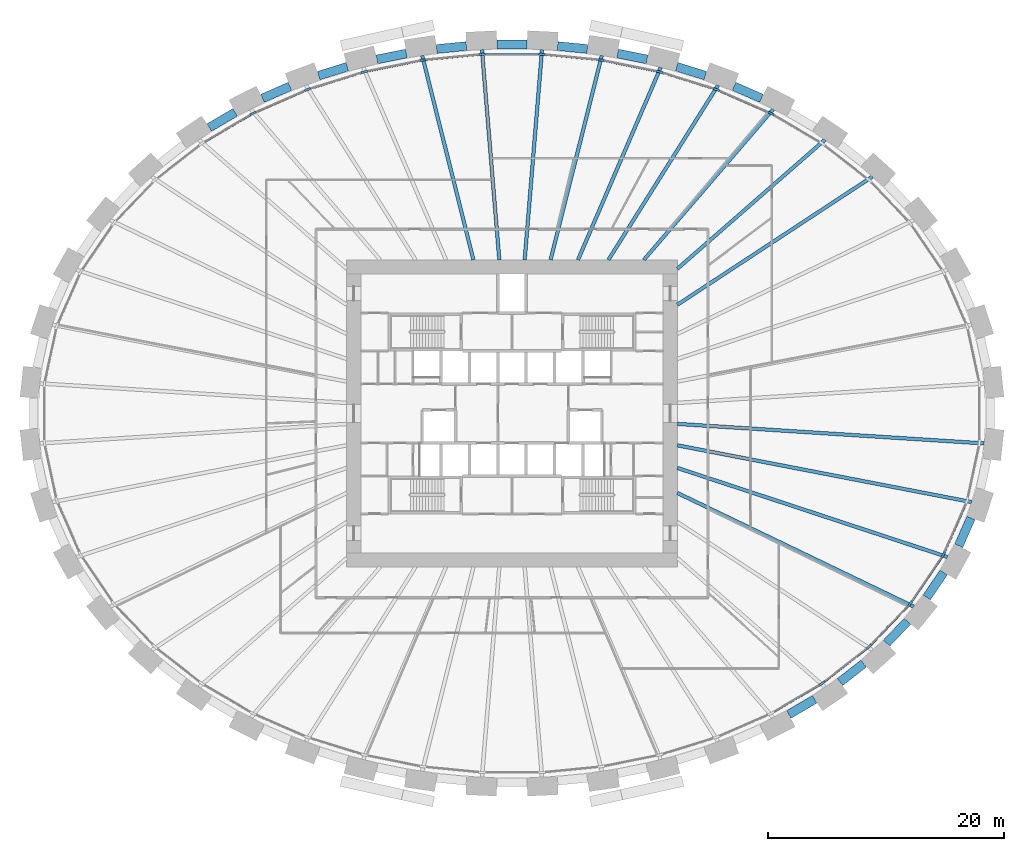
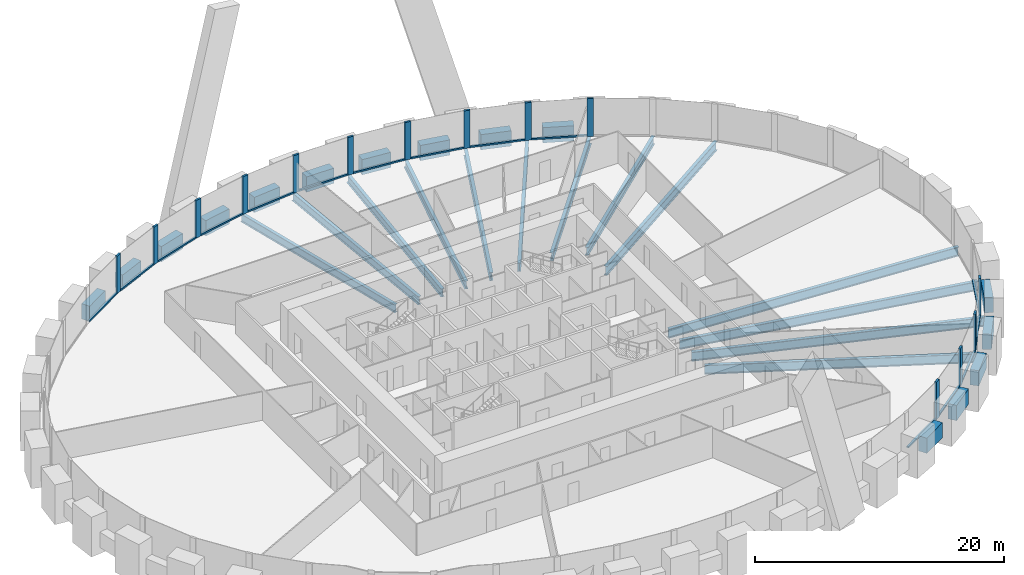
# One storey, part 3 of 11: 29 members, 28 beams, 1 element without a shape of its own.
"""IFC4 building model written with IfcOpenShell, lengths in metres."""

from ifc_helpers import new_model, si_unit, direction, frame, origin, origin_2d, place, context, subcontext, project, spatial, rectangle, i_section, extrude, source, transform, mapped, material, material_profile, profile_set, type_object, element, aggregate, save


model = new_model("IFC4")

# Units and contexts
model_context = context("Model", 3, precision=1e-05, world=origin(), true_north=direction((0.0, 1.0)))
body_context = subcontext(model_context, "Body", "Model", "MODEL_VIEW")
ifc_project = project(units=[si_unit("LENGTHUNIT", "METRE"), si_unit("AREAUNIT", "SQUARE_METRE"), si_unit("VOLUMEUNIT", "CUBIC_METRE"), si_unit("PLANEANGLEUNIT", "RADIAN"), si_unit("MASSUNIT", "GRAM", prefix="KILO")], contexts=[model_context])

# Site, building, storey
site_placement = place(None, origin())
site = spatial("IfcSite", under=ifc_project, at=site_placement, CompositionType="ELEMENT")
building_placement = place(site_placement, origin())
building = spatial("IfcBuilding", under=site, at=building_placement, Name="Embergate Tower", CompositionType="ELEMENT")
storey_placement = place(building_placement, frame((0.0, 0.0, 73.699951171875)))
storey = spatial("IfcBuildingStorey", under=building, at=storey_placement, Name="L14", CompositionType="ELEMENT", Elevation=73.699951171875)

# Beams
ifc_material_1 = material(Name="Concrete C70", Category="concrete")
ifc_material_profile_1 = material_profile(ifc_material_1, rectangle(XDim=0.75, YDim=1.5, at=origin_2d()), Name="RC 750x1500")
ifc_profile_set_1 = profile_set([ifc_material_profile_1], Name="Concrete C70")
beam_type_1 = type_object("IfcBeamType", Name="Spandrel beam RC 750x1500 C70", PredefinedType="BEAM", material=ifc_profile_set_1)
shared_shape_1 = source(origin(), body_context, "Body", "SweptSolid", [
    extrude(rectangle(XDim=0.75, YDim=1.5, at=origin_2d()), origin(), (0.0, 0.0, 1.0), 2.5498046875),
])
beam_1_placement = place(storey_placement, frame((31.72509765625, -19.4541015625, 0.0), z_axis=(0.689760361446, 0.724037736432, 0.0), x_axis=(-0.724037736432, 0.689760361446, 0.0)))
element("IfcBeam", 1, at=beam_1_placement, inside=storey, type_object=beam_type_1, Name="SPN-L14-39", PredefinedType="BEAM", context=body_context, shape_type="MappedRepresentation", body=[
    mapped(shared_shape_1, transform((0.0, 0.0, 0.0))),
])
shared_shape_2 = source(origin(), body_context, "Body", "SweptSolid", [
    extrude(rectangle(XDim=0.75, YDim=1.5, at=origin_2d()), origin(), (0.0, 0.0, 1.0), 2.56591796875),
])
beam_2_placement = place(storey_placement, frame((37.83203125, -11.20703125, 0.0), z_axis=(0.401427690069, 0.915890719271, 0.0), x_axis=(-0.915890719271, 0.401427690069, 0.0)))
element("IfcBeam", 2, at=beam_2_placement, inside=storey, type_object=beam_type_1, Name="SPN-L14-41", PredefinedType="BEAM", context=body_context, shape_type="MappedRepresentation", body=[
    mapped(shared_shape_2, transform((0.0, 0.0, 0.0))),
])
shared_shape_3 = source(origin(), body_context, "Body", "SweptSolid", [
    extrude(rectangle(XDim=0.75, YDim=1.5, at=origin_2d()), origin(), (0.0, 0.0, 1.0), 2.556640625),
])
beam_3_placement = place(storey_placement, frame((35.117919921875, -15.5859375, 0.0), z_axis=(0.562432772417, 0.826843018058, 0.0), x_axis=(-0.826843018058, 0.562432772417, 0.0)))
element("IfcBeam", 3, at=beam_3_placement, inside=storey, type_object=beam_type_1, Name="SPN-L14-40", PredefinedType="BEAM", context=body_context, shape_type="MappedRepresentation", body=[
    mapped(shared_shape_3, transform((0.0, 0.0, 0.0))),
])
shared_shape_4 = source(origin(), body_context, "Body", "SweptSolid", [
    extrude(rectangle(XDim=0.75, YDim=1.5, at=origin_2d()), origin(), (0.0, 0.0, 1.0), 2.542724609375),
])
beam_4_placement = place(storey_placement, frame((27.779052734375, -22.748046875, 0.0), z_axis=(0.788472504965, 0.615070003264, 0.0), x_axis=(-0.615070003264, 0.788472504965, 0.0)))
element("IfcBeam", 4, at=beam_4_placement, inside=storey, type_object=beam_type_1, Name="SPN-L14-38", PredefinedType="BEAM", context=body_context, shape_type="MappedRepresentation", body=[
    mapped(shared_shape_4, transform((0.0, 0.0, 0.0))),
])
shared_shape_5 = source(origin(), body_context, "Body", "SweptSolid", [
    extrude(rectangle(XDim=0.75, YDim=1.5, at=origin_2d()), origin(), (0.0, 0.0, 1.0), 2.537109375),
])
for number, where, z_axis, x_axis, name in (
    (5, (-23.44189453125, 25.49609375, 0.0), (-0.861993577549, -0.506919196978, 0.0), (0.506919196978, -0.861993577549, 0.0), "SPN-L14-15"),
    (6, (23.44189453125, -25.49609375, 0.0), (0.861993577549, 0.506919196978, 0.0), (-0.506919196978, 0.861993577549, 0.0), "SPN-L14-37"),
):
    element("IfcBeam", number, at=place(storey_placement, frame(where, z_axis=z_axis, x_axis=x_axis)), inside=storey, type_object=beam_type_1, Name=name, PredefinedType="BEAM", context=body_context, shape_type="MappedRepresentation", body=[
        mapped(shared_shape_5, transform((0.0, 0.0, 0.0))),
    ])
shared_shape_6 = source(origin(), body_context, "Body", "SweptSolid", [
    extrude(rectangle(XDim=0.75, YDim=1.5, at=origin_2d()), origin(), (0.0, 0.0, 1.0), 2.53466796875),
])
for number, where, z_axis, x_axis, name in (
    (7, (21.1259765625, 26.677978515625, 0.0), (-0.91612417153, 0.400894627474, 0.0), (-0.400894627474, -0.91612417153, 0.0), "SPN-L14-06"),
    (8, (-18.803955078125, 27.694091796875, 0.0), (-0.91612417153, -0.400894627474, 0.0), (0.400894627474, -0.91612417153, 0.0), "SPN-L14-14"),
):
    element("IfcBeam", number, at=place(storey_placement, frame(where, z_axis=z_axis, x_axis=x_axis)), inside=storey, type_object=beam_type_1, Name=name, PredefinedType="BEAM", context=body_context, shape_type="MappedRepresentation", body=[
        mapped(shared_shape_6, transform((0.0, 0.0, 0.0))),
    ])
shared_shape_7 = source(origin(), body_context, "Body", "SweptSolid", [
    extrude(rectangle(XDim=0.75, YDim=1.5, at=origin_2d()), origin(), (0.0, 0.0, 1.0), 2.5322265625),
])
for number, where, z_axis, x_axis, name in (
    (9, (16.367919921875, 28.60302734375, 0.0), (-0.954890803875, 0.296957156294, 0.0), (-0.296957156294, -0.954890803875, 0.0), "SPN-L14-07"),
    (10, (-13.949951171875, 29.35498046875, 0.0), (-0.954890803875, -0.296957156294, 0.0), (0.296957156294, -0.954890803875, 0.0), "SPN-L14-13"),
):
    element("IfcBeam", number, at=place(storey_placement, frame(where, z_axis=z_axis, x_axis=x_axis)), inside=storey, type_object=beam_type_1, Name=name, PredefinedType="BEAM", context=body_context, shape_type="MappedRepresentation", body=[
        mapped(shared_shape_7, transform((0.0, 0.0, 0.0))),
    ])
shared_shape_8 = source(origin(), body_context, "Body", "SweptSolid", [
    extrude(rectangle(XDim=0.75, YDim=1.5, at=origin_2d()), origin(), (0.0, 0.0, 1.0), 2.5283203125),
])
for number, where, z_axis, x_axis, name in (
    (11, (11.426025390625, 29.97900390625, 0.0), (-0.980483995477, 0.19659891814, 0.0), (-0.19659891814, -0.980483995477, 0.0), "SPN-L14-08"),
    (12, (-8.947021484375, 30.47607421875, 0.0), (-0.980483995477, -0.19659891814, 0.0), (0.19659891814, -0.980483995477, 0.0), "SPN-L14-12"),
):
    element("IfcBeam", number, at=place(storey_placement, frame(where, z_axis=z_axis, x_axis=x_axis)), inside=storey, type_object=beam_type_1, Name=name, PredefinedType="BEAM", context=body_context, shape_type="MappedRepresentation", body=[
        mapped(shared_shape_8, transform((0.0, 0.0, 0.0))),
    ])
shared_shape_9 = source(origin(), body_context, "Body", "SweptSolid", [
    extrude(rectangle(XDim=0.75, YDim=1.5, at=origin_2d()), origin(), (0.0, 0.0, 1.0), 2.52685546875),
])
for number, where, z_axis, x_axis, name in (
    (13, (6.3759765625, 30.860107421875, 0.0), (-0.995218218031, 0.097676499217, 0.0), (-0.097676499217, -0.995218218031, 0.0), "SPN-L14-09"),
    (14, (-3.861083984375, 31.10693359375, 0.0), (-0.995218218031, -0.097676499217, 0.0), (0.097676499217, -0.995218218031, 0.0), "SPN-L14-11"),
):
    element("IfcBeam", number, at=place(storey_placement, frame(where, z_axis=z_axis, x_axis=x_axis)), inside=storey, type_object=beam_type_1, Name=name, PredefinedType="BEAM", context=body_context, shape_type="MappedRepresentation", body=[
        mapped(shared_shape_9, transform((0.0, 0.0, 0.0))),
    ])
shared_shape_10 = source(origin(), body_context, "Body", "SweptSolid", [
    extrude(rectangle(XDim=0.75, YDim=1.5, at=origin_2d()), origin(), (0.0, 0.0, 1.0), 2.52783203125),
])
beam_5_placement = place(storey_placement, frame((1.263916015625, 31.23388671875, 0.0), z_axis=(-1.0, 0.0, 0.0), x_axis=(0.0, -1.0, 0.0)))
element("IfcBeam", 15, at=beam_5_placement, inside=storey, type_object=beam_type_1, Name="SPN-L14-10", PredefinedType="BEAM", context=body_context, shape_type="MappedRepresentation", body=[
    mapped(shared_shape_10, transform((0.0, 0.0, 0.0))),
])
ifc_material_2 = material(Name="Steel Q355B", Category="steel")
ifc_material_profile_2 = material_profile(ifc_material_2, i_section(OverallWidth=0.300048828125, OverallDepth=0.89990234375, WebThickness=0.01611328125, FlangeThickness=0.028076171875, FilletRadius=0.028076171875, at=origin_2d()), Name="HN 900x300x16x28")
ifc_profile_set_2 = profile_set([ifc_material_profile_2], Name="Steel Q355 grade B")
beam_type_2 = type_object("IfcBeamType", Name="Radial girder HN 900x300x16x28", PredefinedType="BEAM", material=ifc_profile_set_2)
shared_shape_11 = source(origin(), body_context, "Body", "SweptSolid", [
    extrude(i_section(OverallWidth=0.300048828125, OverallDepth=0.89990234375, WebThickness=0.01611328125, FlangeThickness=0.028076171875, FilletRadius=0.028076171875, at=origin_2d()), origin(), (0.0, 0.0, 1.0), 26.034423828125),
])
beam_6_placement = place(storey_placement, frame((39.98193359375, -2.5400390625, -0.64990234375), z_axis=(-0.997986864702, 0.063420957753, 0.0), x_axis=(-0.063420957753, -0.997986864702, 0.0)))
element("IfcBeam", 16, at=beam_6_placement, inside=storey, type_object=beam_type_2, Name="GIR-L14-43", PredefinedType="BEAM", context=body_context, shape_type="MappedRepresentation", body=[
    mapped(shared_shape_11, transform((0.0, 0.0, 0.0))),
])
shared_shape_12 = source(origin(), body_context, "Body", "SweptSolid", [
    extrude(i_section(OverallWidth=0.300048828125, OverallDepth=0.89990234375, WebThickness=0.01611328125, FlangeThickness=0.028076171875, FilletRadius=0.028076171875, at=origin_2d()), origin(), (0.0, 0.0, 1.0), 25.373291015625),
])
beam_7_placement = place(storey_placement, frame((38.9140625, -7.507080078125, -0.64990234375), z_axis=(-0.981896748495, 0.189416935078, 0.0), x_axis=(-0.189416935078, -0.981896748495, 0.0)))
element("IfcBeam", 17, at=beam_7_placement, inside=storey, type_object=beam_type_2, Name="GIR-L14-42", PredefinedType="BEAM", context=body_context, shape_type="MappedRepresentation", body=[
    mapped(shared_shape_12, transform((0.0, 0.0, 0.0))),
])
shared_shape_13 = source(origin(), body_context, "Body", "SweptSolid", [
    extrude(i_section(OverallWidth=0.300048828125, OverallDepth=0.89990234375, WebThickness=0.01611328125, FlangeThickness=0.028076171875, FilletRadius=0.028076171875, at=origin_2d()), origin(), (0.0, 0.0, 1.0), 24.0849609375),
])
beam_8_placement = place(storey_placement, frame((36.873046875, -12.160888671875, -0.64990234375), z_axis=(-0.949680038857, 0.313221684748, 0.0), x_axis=(-0.313221684748, -0.949680038857, 0.0)))
element("IfcBeam", 18, at=beam_8_placement, inside=storey, type_object=beam_type_2, Name="GIR-L14-41", PredefinedType="BEAM", context=body_context, shape_type="MappedRepresentation", body=[
    mapped(shared_shape_13, transform((0.0, 0.0, 0.0))),
])
shared_shape_14 = source(origin(), body_context, "Body", "SweptSolid", [
    extrude(i_section(OverallWidth=0.300048828125, OverallDepth=0.89990234375, WebThickness=0.01611328125, FlangeThickness=0.028076171875, FilletRadius=0.028076171875, at=origin_2d()), origin(), (0.0, 0.0, 1.0), 22.210693359375),
])
beam_9_placement = place(storey_placement, frame((34.014892578125, -16.364013671875, -0.64990234375), z_axis=(-0.90114054222, 0.433527073165, 0.0), x_axis=(-0.433527073165, -0.90114054222, 0.0)))
element("IfcBeam", 19, at=beam_9_placement, inside=storey, type_object=beam_type_2, Name="GIR-L14-40", PredefinedType="BEAM", context=body_context, shape_type="MappedRepresentation", body=[
    mapped(shared_shape_14, transform((0.0, 0.0, 0.0))),
])
shared_shape_15 = source(origin(), body_context, "Body", "SweptSolid", [
    extrude(i_section(OverallWidth=0.300048828125, OverallDepth=0.89990234375, WebThickness=0.01611328125, FlangeThickness=0.028076171875, FilletRadius=0.028076171875, at=origin_2d()), origin(), (0.0, 0.0, 1.0), 19.75),
])
beam_10_placement = place(storey_placement, frame((30.506103515625, 20.04296875, -0.64990234375), z_axis=(-0.835749566876, -0.549110791614, 0.0), x_axis=(0.549110791614, -0.835749566876, 0.0)))
element("IfcBeam", 20, at=beam_10_placement, inside=storey, type_object=beam_type_2, Name="GIR-L14-04", PredefinedType="BEAM", context=body_context, shape_type="MappedRepresentation", body=[
    mapped(shared_shape_15, transform((0.0, 0.0, 0.0))),
])
ifc_material_profile_3 = material_profile(ifc_material_2, i_section(OverallWidth=0.300048828125, OverallDepth=0.800048828125, WebThickness=0.013916015625, FlangeThickness=0.02587890625, FilletRadius=0.028076171875, at=origin_2d()), Name="HN 800x300x14x26")
ifc_profile_set_3 = profile_set([ifc_material_profile_3], Name="Steel Q355 grade B")
beam_type_3 = type_object("IfcBeamType", Name="Radial girder HN 800x300x14x26", PredefinedType="BEAM", material=ifc_profile_set_3)
shared_shape_16 = source(origin(), body_context, "Body", "SweptSolid", [
    extrude(i_section(OverallWidth=0.300048828125, OverallDepth=0.800048828125, WebThickness=0.013916015625, FlangeThickness=0.02587890625, FilletRadius=0.028076171875, at=origin_2d()), origin(), (0.0, 0.0, 1.0), 16.60205078125),
])
beam_11_placement = place(storey_placement, frame((26.4970703125, 23.172119140625, -0.599853515625), z_axis=(-0.752747930404, -0.65830885857, 0.0), x_axis=(0.65830885857, -0.752747930404, 0.0)))
element("IfcBeam", 21, at=beam_11_placement, inside=storey, type_object=beam_type_3, Name="GIR-L14-05", PredefinedType="BEAM", context=body_context, shape_type="MappedRepresentation", body=[
    mapped(shared_shape_16, transform((0.0, 0.0, 0.0))),
])
shared_shape_17 = source(origin(), body_context, "Body", "SweptSolid", [
    extrude(i_section(OverallWidth=0.300048828125, OverallDepth=0.800048828125, WebThickness=0.013916015625, FlangeThickness=0.02587890625, FilletRadius=0.028076171875, at=origin_2d()), origin(), (0.0, 0.0, 1.0), 16.805908203125),
])
beam_12_placement = place(storey_placement, frame((22.113037109375, 25.75, -0.599853515625), z_axis=(-0.651490955051, -0.758656401467, 0.0), x_axis=(0.758656401467, -0.651490955051, 0.0)))
element("IfcBeam", 22, at=beam_12_placement, inside=storey, type_object=beam_type_3, Name="GIR-L14-06", PredefinedType="BEAM", context=body_context, shape_type="MappedRepresentation", body=[
    mapped(shared_shape_17, transform((0.0, 0.0, 0.0))),
])
shared_shape_18 = source(origin(), body_context, "Body", "SweptSolid", [
    extrude(i_section(OverallWidth=0.300048828125, OverallDepth=0.800048828125, WebThickness=0.013916015625, FlangeThickness=0.02587890625, FilletRadius=0.028076171875, at=origin_2d()), origin(), (0.0, 0.0, 1.0), 17.463623046875),
])
beam_13_placement = place(storey_placement, frame((17.451904296875, 27.7890625, -0.599853515625), z_axis=(-0.531837384954, -0.846846500828, 0.0), x_axis=(0.846846500828, -0.531837384954, 0.0)))
element("IfcBeam", 23, at=beam_13_placement, inside=storey, type_object=beam_type_3, Name="GIR-L14-07", PredefinedType="BEAM", context=body_context, shape_type="MappedRepresentation", body=[
    mapped(shared_shape_18, transform((0.0, 0.0, 0.0))),
])
shared_shape_19 = source(origin(), body_context, "Body", "SweptSolid", [
    extrude(i_section(OverallWidth=0.300048828125, OverallDepth=0.800048828125, WebThickness=0.013916015625, FlangeThickness=0.02587890625, FilletRadius=0.028076171875, at=origin_2d()), origin(), (0.0, 0.0, 1.0), 17.7431640625),
])
beam_14_placement = place(storey_placement, frame((12.594970703125, 29.301025390625, -0.599853515625), z_axis=(-0.394915454917, -0.918717466617, 0.0), x_axis=(0.918717466617, -0.394915454917, 0.0)))
element("IfcBeam", 24, at=beam_14_placement, inside=storey, type_object=beam_type_3, Name="GIR-L14-08", PredefinedType="BEAM", context=body_context, shape_type="MappedRepresentation", body=[
    mapped(shared_shape_19, transform((0.0, 0.0, 0.0))),
])
shared_shape_20 = source(origin(), body_context, "Body", "SweptSolid", [
    extrude(i_section(OverallWidth=0.300048828125, OverallDepth=0.800048828125, WebThickness=0.013916015625, FlangeThickness=0.02587890625, FilletRadius=0.028076171875, at=origin_2d()), origin(), (0.0, 0.0, 1.0), 17.837890625),
])
for number, where, z_axis, x_axis, name in (
    (25, (7.60693359375, 30.301025390625, -0.599853515625), (-0.243472648056, -0.969907763475, 0.0), (0.969907763475, -0.243472648056, 0.0), "GIR-L14-09"),
    (26, (-7.60693359375, 30.301025390625, -0.599853515625), (0.243472648056, -0.969907763475, 0.0), (0.969907763475, 0.243472648056, 0.0), "GIR-L14-12"),
):
    element("IfcBeam", number, at=place(storey_placement, frame(where, z_axis=z_axis, x_axis=x_axis)), inside=storey, type_object=beam_type_3, Name=name, PredefinedType="BEAM", context=body_context, shape_type="MappedRepresentation", body=[
        mapped(shared_shape_20, transform((0.0, 0.0, 0.0))),
    ])
shared_shape_21 = source(origin(), body_context, "Body", "SweptSolid", [
    extrude(i_section(OverallWidth=0.300048828125, OverallDepth=0.800048828125, WebThickness=0.013916015625, FlangeThickness=0.02587890625, FilletRadius=0.028076171875, at=origin_2d()), origin(), (0.0, 0.0, 1.0), 17.859619140625),
])
for number, where, z_axis, x_axis, name in (
    (27, (2.5439453125, 30.799072265625, -0.599853515625), (-0.082306714571, -0.996607046301, 0.0), (0.996607046301, -0.082306714571, 0.0), "GIR-L14-10"),
    (28, (-2.5439453125, 30.799072265625, -0.599853515625), (0.082306714571, -0.996607046301, 0.0), (0.996607046301, 0.082306714571, 0.0), "GIR-L14-11"),
):
    element("IfcBeam", number, at=place(storey_placement, frame(where, z_axis=z_axis, x_axis=x_axis)), inside=storey, type_object=beam_type_3, Name=name, PredefinedType="BEAM", context=body_context, shape_type="MappedRepresentation", body=[
        mapped(shared_shape_21, transform((0.0, 0.0, 0.0))),
    ])

# Curtain wall, members
ifc_material_3 = material(Name="Aluminium and glass", Category="aluminium")
curtain_wall_type = type_object("IfcCurtainWallType", Name="Recessed office glazing", PredefinedType="NOTDEFINED", material=ifc_material_3)
curtain_wall_placement = place(storey_placement, origin())
curtain_wall = element("IfcCurtainWall", 29, at=curtain_wall_placement, inside=storey, type_object=curtain_wall_type, Name="Recessed office glazing ring", ObjectType="RECESSED OFFICE GLAZING", PredefinedType="USERDEFINED")
ifc_material_4 = material(Name="Aluminium, thermally broken", Category="aluminium")
ifc_material_profile_4 = material_profile(ifc_material_4, rectangle(XDim=0.179931640625, YDim=0.52001953125, at=origin_2d()), Name="AL 520x180")
ifc_profile_set_4 = profile_set([ifc_material_profile_4], Name="Aluminium, thermally broken")
member_type_1 = type_object("IfcMemberType", Name="Office mullion", PredefinedType="MULLION", material=ifc_profile_set_4)
shared_shape_22 = source(origin(), body_context, "Body", "SweptSolid", [
    extrude(rectangle(XDim=0.179931640625, YDim=0.52001953125, at=origin_2d()), origin(), (0.0, 0.0, 1.0), 3.699951171875),
])
member_1_placement = place(storey_placement, frame((21.935791015625, 25.402587890625, 0.0), z_axis=(0.0, 0.0, 1.0), x_axis=(-0.454516044429, -0.890738550506, 0.0)))
member_1 = element("IfcMember", 30, at=member_1_placement, type_object=member_type_1, Name="CW mullion 7", PredefinedType="MULLION", context=body_context, shape_type="MappedRepresentation", body=[
    mapped(shared_shape_22, transform((0.0, 0.0, 0.0))),
])
member_2_placement = place(storey_placement, frame((17.31591796875, 27.422607421875, 0.0), z_axis=(0.0, 0.0, 1.0), x_axis=(-0.349507588628, -0.936933533124, 0.0)))
member_2 = element("IfcMember", 31, at=member_2_placement, type_object=member_type_1, Name="CW mullion 8", PredefinedType="MULLION", context=body_context, shape_type="MappedRepresentation", body=[
    mapped(shared_shape_22, transform((0.0, 0.0, 0.0))),
])
member_3_placement = place(storey_placement, frame((12.498779296875, 28.9228515625, 0.0), z_axis=(0.0, 0.0, 1.0), x_axis=(-0.247315263593, -0.968935065107, 0.0)))
member_3 = element("IfcMember", 32, at=member_3_placement, type_object=member_type_1, Name="CW mullion 9", PredefinedType="MULLION", context=body_context, shape_type="MappedRepresentation", body=[
    mapped(shared_shape_22, transform((0.0, 0.0, 0.0))),
])
member_4_placement = place(storey_placement, frame((7.549560546875, 29.915283203125, 0.0), z_axis=(0.0, 0.0, 1.0), x_axis=(-0.14741410908, -0.98907486089, 0.0)))
member_4 = element("IfcMember", 33, at=member_4_placement, type_object=member_type_1, Name="CW mullion 10", PredefinedType="MULLION", context=body_context, shape_type="MappedRepresentation", body=[
    mapped(shared_shape_22, transform((0.0, 0.0, 0.0))),
])
member_5_placement = place(storey_placement, frame((2.524658203125, 30.409423828125, 0.0), z_axis=(0.0, 0.0, 1.0), x_axis=(-0.048971796621, -0.998800161762, 0.0)))
member_5 = element("IfcMember", 34, at=member_5_placement, type_object=member_type_1, Name="CW mullion 11", PredefinedType="MULLION", context=body_context, shape_type="MappedRepresentation", body=[
    mapped(shared_shape_22, transform((0.0, 0.0, 0.0))),
])
member_6_placement = place(storey_placement, frame((-2.524658203125, 30.409423828125, 0.0), z_axis=(0.0, 0.0, 1.0), x_axis=(0.048971796621, -0.998800161762, 0.0)))
member_6 = element("IfcMember", 35, at=member_6_placement, type_object=member_type_1, Name="CW mullion 12", PredefinedType="MULLION", context=body_context, shape_type="MappedRepresentation", body=[
    mapped(shared_shape_22, transform((0.0, 0.0, 0.0))),
])
member_7_placement = place(storey_placement, frame((-7.549560546875, 29.915283203125, 0.0), z_axis=(0.0, 0.0, 1.0), x_axis=(0.14741410908, -0.98907486089, 0.0)))
member_7 = element("IfcMember", 36, at=member_7_placement, type_object=member_type_1, Name="CW mullion 13", PredefinedType="MULLION", context=body_context, shape_type="MappedRepresentation", body=[
    mapped(shared_shape_22, transform((0.0, 0.0, 0.0))),
])
member_8_placement = place(storey_placement, frame((-12.498779296875, 28.9228515625, 0.0), z_axis=(0.0, 0.0, 1.0), x_axis=(0.247315263593, -0.968935065107, 0.0)))
member_8 = element("IfcMember", 37, at=member_8_placement, type_object=member_type_1, Name="CW mullion 14", PredefinedType="MULLION", context=body_context, shape_type="MappedRepresentation", body=[
    mapped(shared_shape_22, transform((0.0, 0.0, 0.0))),
])
member_9_placement = place(storey_placement, frame((-17.31591796875, 27.422607421875, 0.0), z_axis=(0.0, 0.0, 1.0), x_axis=(0.349507588628, -0.936933533124, 0.0)))
member_9 = element("IfcMember", 38, at=member_9_placement, type_object=member_type_1, Name="CW mullion 15", PredefinedType="MULLION", context=body_context, shape_type="MappedRepresentation", body=[
    mapped(shared_shape_22, transform((0.0, 0.0, 0.0))),
])
member_10_placement = place(storey_placement, frame((-21.935791015625, 25.402587890625, 0.0), z_axis=(0.0, 0.0, 1.0), x_axis=(0.454516044429, -0.890738550506, 0.0)))
member_10 = element("IfcMember", 39, at=member_10_placement, type_object=member_type_1, Name="CW mullion 16", PredefinedType="MULLION", context=body_context, shape_type="MappedRepresentation", body=[
    mapped(shared_shape_22, transform((0.0, 0.0, 0.0))),
])
member_11_placement = place(storey_placement, frame((26.278564453125, -22.849365234375, 0.0), z_axis=(0.0, 0.0, 1.0), x_axis=(-0.562223392005, 0.826985403428, 0.0)))
member_11 = element("IfcMember", 40, at=member_11_placement, type_object=member_type_1, Name="CW mullion 39", PredefinedType="MULLION", context=body_context, shape_type="MappedRepresentation", body=[
    mapped(shared_shape_22, transform((0.0, 0.0, 0.0))),
])
member_12_placement = place(storey_placement, frame((30.2451171875, -19.75341796875, 0.0), z_axis=(0.0, 0.0, 1.0), x_axis=(-0.671234296295, 0.74124524921, 0.0)))
member_12 = element("IfcMember", 41, at=member_12_placement, type_object=member_type_1, Name="CW mullion 40", PredefinedType="MULLION", context=body_context, shape_type="MappedRepresentation", body=[
    mapped(shared_shape_22, transform((0.0, 0.0, 0.0))),
])
member_13_placement = place(storey_placement, frame((33.712158203125, -16.11767578125, 0.0), z_axis=(0.0, 0.0, 1.0), x_axis=(-0.777880241921, 0.628412547002, 0.0)))
member_13 = element("IfcMember", 42, at=member_13_placement, type_object=member_type_1, Name="CW mullion 41", PredefinedType="MULLION", context=body_context, shape_type="MappedRepresentation", body=[
    mapped(shared_shape_22, transform((0.0, 0.0, 0.0))),
])
member_14_placement = place(storey_placement, frame((36.532470703125, -11.970458984375, 0.0), z_axis=(0.0, 0.0, 1.0), x_axis=(-0.875007810402, 0.484108801547, 0.0)))
member_14 = element("IfcMember", 43, at=member_14_placement, type_object=member_type_1, Name="CW mullion 42", PredefinedType="MULLION", context=body_context, shape_type="MappedRepresentation", body=[
    mapped(shared_shape_22, transform((0.0, 0.0, 0.0))),
])
ifc_material_profile_5 = material_profile(ifc_material_4, rectangle(XDim=0.179931640625, YDim=0.14990234375, at=origin_2d()), Name="AL 150x180")
ifc_profile_set_5 = profile_set([ifc_material_profile_5], Name="Aluminium, thermally broken")
member_type_2 = type_object("IfcMemberType", Name="Office sill transom", PredefinedType="USERDEFINED", material=ifc_profile_set_5)
shared_shape_23 = source(origin(), body_context, "Body", "SweptSolid", [
    extrude(rectangle(XDim=0.179931640625, YDim=0.14990234375, at=origin_2d()), origin(), (0.0, 0.0, 1.0), 4.50390625),
])
member_15_placement = place(storey_placement, frame((30.42431640625, -19.565185546875, 0.074951171875), z_axis=(0.69015852771, 0.723658211194, 0.0), x_axis=(-0.723658211194, 0.69015852771, 0.0)))
member_15 = element("IfcMember", 44, at=member_15_placement, type_object=member_type_2, Name="CW transom 40.1", ObjectType="TRANSOM", PredefinedType="USERDEFINED", context=body_context, shape_type="MappedRepresentation", body=[
    mapped(shared_shape_23, transform((0.0, 0.0, 0.0))),
])
shared_shape_24 = source(origin(), body_context, "Body", "SweptSolid", [
    extrude(rectangle(XDim=0.179931640625, YDim=0.14990234375, at=origin_2d()), origin(), (0.0, 0.0, 1.0), 4.486328125),
])
member_16_placement = place(storey_placement, frame((36.636962890625, -11.732421875, 0.074951171875), z_axis=(0.401655089719, 0.915791018138, 0.0), x_axis=(-0.915791018138, 0.401655089719, 0.0)))
member_16 = element("IfcMember", 45, at=member_16_placement, type_object=member_type_2, Name="CW transom 42.1", ObjectType="TRANSOM", PredefinedType="USERDEFINED", context=body_context, shape_type="MappedRepresentation", body=[
    mapped(shared_shape_24, transform((0.0, 0.0, 0.0))),
])
shared_shape_25 = source(origin(), body_context, "Body", "SweptSolid", [
    extrude(rectangle(XDim=0.179931640625, YDim=0.14990234375, at=origin_2d()), origin(), (0.0, 0.0, 1.0), 4.4951171875),
])
member_17_placement = place(storey_placement, frame((33.8583984375, -15.902587890625, 0.074951171875), z_axis=(0.562347159837, 0.826901246718, 0.0), x_axis=(-0.826901246718, 0.562347159837, 0.0)))
member_17 = element("IfcMember", 46, at=member_17_placement, type_object=member_type_2, Name="CW transom 41.1", ObjectType="TRANSOM", PredefinedType="USERDEFINED", context=body_context, shape_type="MappedRepresentation", body=[
    mapped(shared_shape_25, transform((0.0, 0.0, 0.0))),
])
shared_shape_26 = source(origin(), body_context, "Body", "SweptSolid", [
    extrude(rectangle(XDim=0.179931640625, YDim=0.14990234375, at=origin_2d()), origin(), (0.0, 0.0, 1.0), 4.511474609375),
])
member_18_placement = place(storey_placement, frame((26.4833984375, -22.689208984375, 0.074951171875), z_axis=(0.788345870827, 0.615232304052, 0.0), x_axis=(-0.615232304052, 0.788345870827, 0.0)))
member_18 = element("IfcMember", 47, at=member_18_placement, type_object=member_type_2, Name="CW transom 39.1", ObjectType="TRANSOM", PredefinedType="USERDEFINED", context=body_context, shape_type="MappedRepresentation", body=[
    mapped(shared_shape_26, transform((0.0, 0.0, 0.0))),
])
shared_shape_27 = source(origin(), body_context, "Body", "SweptSolid", [
    extrude(rectangle(XDim=0.179931640625, YDim=0.14990234375, at=origin_2d()), origin(), (0.0, 0.0, 1.0), 4.517578125),
])
member_19_placement = place(storey_placement, frame((-22.159912109375, 25.270751953125, 0.074951171875), z_axis=(-0.862064774491, -0.506798110279, 0.0), x_axis=(0.506798110279, -0.862064774491, 0.0)))
member_19 = element("IfcMember", 48, at=member_19_placement, type_object=member_type_2, Name="CW transom 16.1", ObjectType="TRANSOM", PredefinedType="USERDEFINED", context=body_context, shape_type="MappedRepresentation", body=[
    mapped(shared_shape_27, transform((0.0, 0.0, 0.0))),
])
member_20_placement = place(storey_placement, frame((22.159912109375, -25.270751953125, 0.074951171875), z_axis=(0.862064774491, 0.506798110279, 0.0), x_axis=(-0.506798110279, 0.862064774491, 0.0)))
member_20 = element("IfcMember", 49, at=member_20_placement, type_object=member_type_2, Name="CW transom 38.1", ObjectType="TRANSOM", PredefinedType="USERDEFINED", context=body_context, shape_type="MappedRepresentation", body=[
    mapped(shared_shape_27, transform((0.0, 0.0, 0.0))),
])
shared_shape_28 = source(origin(), body_context, "Body", "SweptSolid", [
    extrude(rectangle(XDim=0.179931640625, YDim=0.14990234375, at=origin_2d()), origin(), (0.0, 0.0, 1.0), 4.522216796875),
])
member_21_placement = place(storey_placement, frame((21.697509765625, 25.506591796875, 0.074951171875), z_axis=(-0.916232902024, 0.400646064812, 0.0), x_axis=(-0.400646064812, -0.916232902024, 0.0)))
member_21 = element("IfcMember", 50, at=member_21_placement, type_object=member_type_2, Name="CW transom 7.1", ObjectType="TRANSOM", PredefinedType="USERDEFINED", context=body_context, shape_type="MappedRepresentation", body=[
    mapped(shared_shape_28, transform((0.0, 0.0, 0.0))),
])
member_22_placement = place(storey_placement, frame((-17.55419921875, 27.318359375, 0.074951171875), z_axis=(-0.916232902024, -0.400646064812, 0.0), x_axis=(0.400646064812, -0.916232902024, 0.0)))
member_22 = element("IfcMember", 51, at=member_22_placement, type_object=member_type_2, Name="CW transom 15.1", ObjectType="TRANSOM", PredefinedType="USERDEFINED", context=body_context, shape_type="MappedRepresentation", body=[
    mapped(shared_shape_28, transform((0.0, 0.0, 0.0))),
])
shared_shape_29 = source(origin(), body_context, "Body", "SweptSolid", [
    extrude(rectangle(XDim=0.179931640625, YDim=0.14990234375, at=origin_2d()), origin(), (0.0, 0.0, 1.0), 4.525390625),
])
member_23_placement = place(storey_placement, frame((17.067626953125, 27.5, 0.074951171875), z_axis=(-0.954780911234, 0.297310295051, 0.0), x_axis=(-0.297310295051, -0.954780911234, 0.0)))
member_23 = element("IfcMember", 52, at=member_23_placement, type_object=member_type_2, Name="CW transom 8.1", ObjectType="TRANSOM", PredefinedType="USERDEFINED", context=body_context, shape_type="MappedRepresentation", body=[
    mapped(shared_shape_29, transform((0.0, 0.0, 0.0))),
])
member_24_placement = place(storey_placement, frame((-12.746826171875, 28.845458984375, 0.074951171875), z_axis=(-0.954780911234, -0.297310295051, 0.0), x_axis=(0.297310295051, -0.954780911234, 0.0)))
member_24 = element("IfcMember", 53, at=member_24_placement, type_object=member_type_2, Name="CW transom 14.1", ObjectType="TRANSOM", PredefinedType="USERDEFINED", context=body_context, shape_type="MappedRepresentation", body=[
    mapped(shared_shape_29, transform((0.0, 0.0, 0.0))),
])
shared_shape_30 = source(origin(), body_context, "Body", "SweptSolid", [
    extrude(rectangle(XDim=0.179931640625, YDim=0.14990234375, at=origin_2d()), origin(), (0.0, 0.0, 1.0), 4.52783203125),
])
member_25_placement = place(storey_placement, frame((12.243896484375, 28.97412109375, 0.074951171875), z_axis=(-0.980485162379, 0.19659309844, 0.0), x_axis=(-0.19659309844, -0.980485162379, 0.0)))
member_25 = element("IfcMember", 54, at=member_25_placement, type_object=member_type_2, Name="CW transom 9.1", ObjectType="TRANSOM", PredefinedType="USERDEFINED", context=body_context, shape_type="MappedRepresentation", body=[
    mapped(shared_shape_30, transform((0.0, 0.0, 0.0))),
])
member_26_placement = place(storey_placement, frame((-7.804443359375, 29.8642578125, 0.074951171875), z_axis=(-0.980485162379, -0.19659309844, 0.0), x_axis=(0.19659309844, -0.980485162379, 0.0)))
member_26 = element("IfcMember", 55, at=member_26_placement, type_object=member_type_2, Name="CW transom 13.1", ObjectType="TRANSOM", PredefinedType="USERDEFINED", context=body_context, shape_type="MappedRepresentation", body=[
    mapped(shared_shape_30, transform((0.0, 0.0, 0.0))),
])
shared_shape_31 = source(origin(), body_context, "Body", "SweptSolid", [
    extrude(rectangle(XDim=0.179931640625, YDim=0.14990234375, at=origin_2d()), origin(), (0.0, 0.0, 1.0), 4.529052734375),
])
member_27_placement = place(storey_placement, frame((7.290771484375, 29.94091796875, 0.074951171875), z_axis=(-0.995207563955, 0.09778499193, 0.0), x_axis=(-0.09778499193, -0.995207563955, 0.0)))
member_27 = element("IfcMember", 56, at=member_27_placement, type_object=member_type_2, Name="CW transom 10.1", ObjectType="TRANSOM", PredefinedType="USERDEFINED", context=body_context, shape_type="MappedRepresentation", body=[
    mapped(shared_shape_31, transform((0.0, 0.0, 0.0))),
])
member_28_placement = place(storey_placement, frame((-2.783447265625, 30.3837890625, 0.074951171875), z_axis=(-0.995207563955, -0.09778499193, 0.0), x_axis=(0.09778499193, -0.995207563955, 0.0)))
member_28 = element("IfcMember", 57, at=member_28_placement, type_object=member_type_2, Name="CW transom 12.1", ObjectType="TRANSOM", PredefinedType="USERDEFINED", context=body_context, shape_type="MappedRepresentation", body=[
    mapped(shared_shape_31, transform((0.0, 0.0, 0.0))),
])
shared_shape_32 = source(origin(), body_context, "Body", "SweptSolid", [
    extrude(rectangle(XDim=0.179931640625, YDim=0.14990234375, at=origin_2d()), origin(), (0.0, 0.0, 1.0), 4.529296875),
])
member_29_placement = place(storey_placement, frame((2.2646484375, 30.409423828125, 0.074951171875), z_axis=(-1.0, 0.0, 0.0), x_axis=(0.0, -1.0, 0.0)))
member_29 = element("IfcMember", 58, at=member_29_placement, type_object=member_type_2, Name="CW transom 11.1", ObjectType="TRANSOM", PredefinedType="USERDEFINED", context=body_context, shape_type="MappedRepresentation", body=[
    mapped(shared_shape_32, transform((0.0, 0.0, 0.0))),
])
aggregate(curtain_wall, [member_1, member_2, member_3, member_4, member_5, member_6, member_7, member_8, member_9, member_10, member_11, member_12, member_13, member_14, member_21, member_23, member_25, member_27, member_29, member_28, member_26, member_24, member_22, member_19, member_20, member_18, member_15, member_17, member_16])

save(model, "model.ifc")
